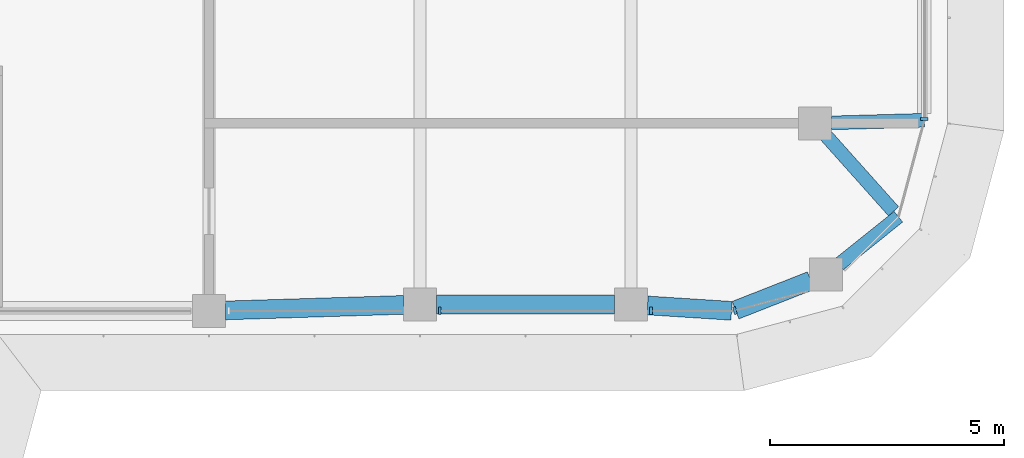
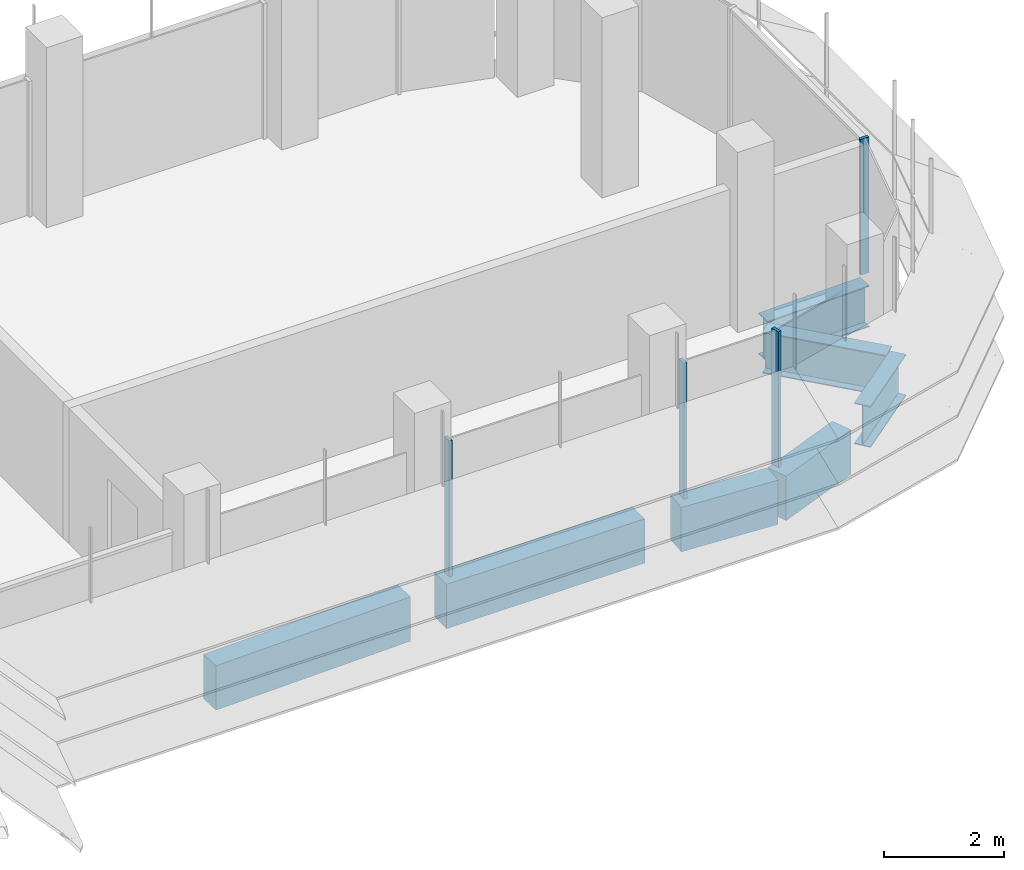
# One storey, part 5 of 19: 7 beams, 4 members, 3 elements without a shape of their own.
"""IFC4 building model written with IfcOpenShell, lengths in metres."""

import ifcopenshell
import ifcopenshell.guid

model = None  # the IFC model being written
_history = None  # IfcOwnerHistory: only IFC2X3 demands one
_inside = {}  # id of a spatial element -> (the spatial element, [elements in it])
_under = {}  # id of a project, library or spatial element -> (it, [spatial elements below it])
_declared = {}  # id of a project -> (the project, [libraries it declares])
_typed = {}  # id of a type object -> (the type object, [elements of that type])
_made_of = {}  # id of a material, layer set ... -> (it, [elements and type objects made of it])


def new_model(schema):
    """Start an empty IFC model of exactly this schema.

    Asked for "IFC4X3", IfcOpenShell would pick the latest addendum, in which some entities
    have other attributes; the version numbers below select the first issue.
    IFC2X3 requires an IfcOwnerHistory on every rooted entity: one is made here for all.
    """
    global model, _history
    if schema == "IFC4X3":
        model = ifcopenshell.file(schema_version=(4, 3, 0, 0))
    else:
        model = ifcopenshell.file(schema=schema)
    _inside.clear()
    _under.clear()
    _declared.clear()
    _typed.clear()
    _made_of.clear()
    _history = None
    if model.schema == "IFC2X3":
        org = make("IfcOrganization", Name="unknown")
        user = make(
            "IfcPersonAndOrganization",
            ThePerson=make("IfcPerson", FamilyName="unknown"),
            TheOrganization=org,
        )
        app = make(
            "IfcApplication",
            ApplicationDeveloper=org,
            Version="unknown",
            ApplicationFullName="unknown",
            ApplicationIdentifier="unknown",
        )
        _history = make(
            "IfcOwnerHistory",
            OwningUser=user,
            OwningApplication=app,
            ChangeAction="ADDED",
            CreationDate=0,
        )
    return model


def make(cls, **values):
    """One entity of the class cls with the attributes given. An attribute that is None is left unset."""
    return model.create_entity(
        cls, **{name: value for name, value in values.items() if value is not None}
    )


def rooted(cls, **values):
    """An entity with a GlobalId (a new one), such as an element, a storey or a relation."""
    return make(cls, GlobalId=ifcopenshell.guid.new(), OwnerHistory=_history, **values)


def si_unit(unit_type, name, prefix=None):
    """IfcSIUnit, for example si_unit("LENGTHUNIT", "METRE", prefix="MILLI")."""
    return make("IfcSIUnit", UnitType=unit_type, Prefix=prefix, Name=name)


def assignment(units):
    """IfcUnitAssignment: the units of a project."""
    return None if units is None else make("IfcUnitAssignment", Units=units)


def point(xyz):
    """IfcCartesianPoint."""
    return None if xyz is None else make("IfcCartesianPoint", Coordinates=xyz)


def direction(xyz):
    """IfcDirection."""
    return None if xyz is None else make("IfcDirection", DirectionRatios=xyz)


def frame(location, z_axis=None, x_axis=None):
    """IfcAxis2Placement3D, a coordinate frame: its origin and axes. An axis left out is left unset."""
    return make(
        "IfcAxis2Placement3D",
        Location=point(location),
        Axis=direction(z_axis),
        RefDirection=direction(x_axis),
    )


def frame_2d(location, x_axis=None):
    """IfcAxis2Placement2D, a coordinate frame in the plane: its origin and x axis."""
    return make(
        "IfcAxis2Placement2D", Location=point(location), RefDirection=direction(x_axis)
    )


def origin():
    """The frame at (0, 0, 0) with its axes left unset."""
    return frame((0.0, 0.0, 0.0))


def origin_2d():
    """The frame at (0, 0) in the plane with its x axis left unset."""
    return frame_2d((0.0, 0.0))


def place(relative_to, where):
    """IfcLocalPlacement: puts the frame where relative to a parent placement (None: the world)."""
    return make(
        "IfcLocalPlacement", PlacementRelTo=relative_to, RelativePlacement=where
    )


def context(
    kind, dimensions, precision=None, world=None, true_north=None, identifier=None
):
    """IfcGeometricRepresentationContext, for example the 3D "Model" context."""
    return make(
        "IfcGeometricRepresentationContext",
        ContextIdentifier=identifier,
        ContextType=kind,
        CoordinateSpaceDimension=dimensions,
        Precision=precision,
        WorldCoordinateSystem=world,
        TrueNorth=true_north,
    )


def subcontext(parent, identifier, kind, view, scale=None):
    """IfcGeometricRepresentationSubContext, for example "Body" below "Model"."""
    return make(
        "IfcGeometricRepresentationSubContext",
        ContextIdentifier=identifier,
        ContextType=kind,
        ParentContext=parent,
        TargetScale=scale,
        TargetView=view,
    )


def project(units=None, contexts=None):
    """IfcProject with its units and contexts."""
    return rooted(
        "IfcProject",
        Name="project",
        RepresentationContexts=contexts,
        UnitsInContext=assignment(units),
    )


def spatial(cls, under=None, at=None, **own):
    """A site, building, storey or space (cls), placed at a placement, below another one or the project."""
    s = rooted(cls, ObjectPlacement=at, **own)
    if under is not None:
        _under.setdefault(under.id(), (under, []))[1].append(s)
    return s


def polyline(points):
    """IfcPolyline through the points."""
    return make("IfcPolyline", Points=[point(p) for p in points])


def profile(cls, at=None, kind="AREA", **sizes):
    """A parametric profile (cls). Its sizes go by their IFC names, for example OverallWidth=200.0."""
    return make(cls, ProfileType=kind, Position=at, **sizes)


def rectangle(**sizes):
    """IfcRectangleProfileDef."""
    return profile("IfcRectangleProfileDef", **sizes)


def i_section(**sizes):
    """IfcIShapeProfileDef."""
    return profile("IfcIShapeProfileDef", **sizes)


def outline(outer, holes=None, kind="AREA"):
    """IfcArbitraryClosedProfileDef: a profile drawn as a closed curve; with holes, ...WithVoids."""
    if holes is None:
        return make("IfcArbitraryClosedProfileDef", ProfileType=kind, OuterCurve=outer)
    return make(
        "IfcArbitraryProfileDefWithVoids",
        ProfileType=kind,
        OuterCurve=outer,
        InnerCurves=holes,
    )


def extrude(swept, where, along, depth):
    """IfcExtrudedAreaSolid: the profile swept, set in the frame where, extruded along a direction by depth."""
    return make(
        "IfcExtrudedAreaSolid",
        SweptArea=swept,
        Position=where,
        ExtrudedDirection=direction(along),
        Depth=depth,
    )


def shape(context_of_items, identifier, shape_type, items):
    """IfcShapeRepresentation: the items that make up one representation, for example the "Body"."""
    return make(
        "IfcShapeRepresentation",
        ContextOfItems=context_of_items,
        RepresentationIdentifier=identifier,
        RepresentationType=shape_type,
        Items=items,
    )


def source(mapping_origin, context_of_items, identifier, shape_type, items):
    """IfcRepresentationMap: a shape defined once, which mapped items show again and again."""
    return make(
        "IfcRepresentationMap",
        MappingOrigin=mapping_origin,
        MappedRepresentation=shape(context_of_items, identifier, shape_type, items),
    )


def transform(
    local_origin,
    x_axis=None,
    y_axis=None,
    z_axis=None,
    scale=None,
    scale2=None,
    scale3=None,
    uniform=True,
):
    """IfcCartesianTransformationOperator3D, or its non-uniform kind. x_axis, y_axis, z_axis: its Axis1, 2, 3."""
    if uniform:
        return make(
            "IfcCartesianTransformationOperator3D",
            Axis1=direction(x_axis),
            Axis2=direction(y_axis),
            LocalOrigin=point(local_origin),
            Scale=scale,
            Axis3=direction(z_axis),
        )
    return make(
        "IfcCartesianTransformationOperator3DnonUniform",
        Axis1=direction(x_axis),
        Axis2=direction(y_axis),
        LocalOrigin=point(local_origin),
        Scale=scale,
        Axis3=direction(z_axis),
        Scale2=scale2,
        Scale3=scale3,
    )


def mapped(mapping_source, mapping_target):
    """IfcMappedItem: shows the shape of a source again, moved by a transform."""
    return make(
        "IfcMappedItem", MappingSource=mapping_source, MappingTarget=mapping_target
    )


def material(Name=None, Category=None):
    """IfcMaterial."""
    return make("IfcMaterial", Name=Name, Category=Category)


def material_profile(
    of_material, cross_section, Name=None, Category=None, Priority=None
):
    """IfcMaterialProfile: a cross section and its material."""
    return make(
        "IfcMaterialProfile",
        Name=Name,
        Material=of_material,
        Profile=cross_section,
        Priority=Priority,
        Category=Category,
    )


def profile_set(profiles, Name=None, composite=None):
    """IfcMaterialProfileSet."""
    return make(
        "IfcMaterialProfileSet",
        Name=Name,
        MaterialProfiles=profiles,
        CompositeProfile=composite,
    )


def made_of(thing, what):
    """Note that an element or type object is made of a material, layer set ...; save() writes the relation."""
    if what is not None:
        _made_of.setdefault(what.id(), (what, []))[1].append(thing)
    return thing


def type_object(cls, material=None, **own):
    """A type object (cls), such as IfcWallType, which elements share."""
    return made_of(rooted(cls, **own), material)


def element(
    cls,
    number,
    at=None,
    inside=None,
    cuts=None,
    type_object=None,
    material=None,
    context=None,
    identifier="Body",
    shape_type=None,
    held_by="IfcProductDefinitionShape",
    body=None,
    shapes=None,
    **own,
):
    """One element of the class cls, such as IfcWall. Its Tag is "e" and its number.

    at: its placement. inside: the storey or other place that contains it. cuts: it is an
    opening in that element (IfcRelVoidsElement). A single representation is given by context,
    identifier, shape_type and body (its items); several are given by shapes. held_by: the class
    of the entity that holds the representations. save() writes the other relations.
    """
    e = rooted(cls, Tag="e%d" % number, ObjectPlacement=at, **own)
    if body is not None:
        shapes = [shape(context, identifier, shape_type, body)]
    if shapes is not None:
        e.Representation = make(held_by, Representations=shapes)
    if inside is not None:
        _inside.setdefault(inside.id(), (inside, []))[1].append(e)
    if cuts is not None:
        rooted(
            "IfcRelVoidsElement", RelatingBuildingElement=cuts, RelatedOpeningElement=e
        )
    if type_object is not None:
        _typed.setdefault(type_object.id(), (type_object, []))[1].append(e)
    return made_of(e, material)


def aggregate(whole, parts):
    """IfcRelAggregates: a whole, such as a stair, and the parts it consists of."""
    return rooted("IfcRelAggregates", RelatingObject=whole, RelatedObjects=parts)


def save(model, path):
    """Write the relations noted so far, then the file.

    IfcRelAggregates (storeys below a building ...), IfcRelContainedInSpatialStructure (elements
    in a storey), IfcRelDefinesByType, IfcRelAssociatesMaterial and IfcRelDeclares: one each for
    every whole, place, type object, material and project.
    """
    for whole, parts in _under.values():
        aggregate(whole, parts)
    for where, things in _inside.values():
        rooted(
            "IfcRelContainedInSpatialStructure",
            RelatedElements=things,
            RelatingStructure=where,
        )
    for kind, things in _typed.values():
        rooted("IfcRelDefinesByType", RelatedObjects=things, RelatingType=kind)
    for what, things in _made_of.values():
        rooted("IfcRelAssociatesMaterial", RelatedObjects=things, RelatingMaterial=what)
    for by, libraries in _declared.values():
        rooted("IfcRelDeclares", RelatingContext=by, RelatedDefinitions=libraries)
    model.write(path)


model = new_model("IFC4")

# Units and contexts
model_context = context("Model", 3, precision=1e-05, world=origin(), true_north=direction((0.0, 1.0)))
body_context = subcontext(model_context, "Body", "Model", "MODEL_VIEW")
ifc_project = project(units=[si_unit("LENGTHUNIT", "METRE"), si_unit("AREAUNIT", "SQUARE_METRE"), si_unit("VOLUMEUNIT", "CUBIC_METRE"), si_unit("PLANEANGLEUNIT", "RADIAN"), si_unit("MASSUNIT", "GRAM", prefix="KILO")], contexts=[model_context])

# Site, building, storey
site_placement = place(None, origin())
site = spatial("IfcSite", under=ifc_project, at=site_placement, CompositionType="ELEMENT")
building_placement = place(site_placement, origin())
building = spatial("IfcBuilding", under=site, at=building_placement, Name="Zarbagh Exchange Tower", CompositionType="ELEMENT")
storey_placement = place(building_placement, frame((0.0, 0.0, 225.800048828125)))
storey = spatial("IfcBuildingStorey", under=building, at=storey_placement, Name="L55", CompositionType="ELEMENT", Elevation=225.800048828125)

# Beams
ifc_material_1 = material(Name="Steel ASTM A992 Gr 50", Category="steel")
ifc_material_profile_1 = material_profile(ifc_material_1, i_section(OverallWidth=0.2919921875, OverallDepth=0.835693359375, WebThickness=0.013916015625, FlangeThickness=0.018798828125, at=origin_2d()), Name="W33X118")
ifc_profile_set_1 = profile_set([ifc_material_profile_1], Name="Steel ASTM A992 Gr 50")
beam_type_1 = type_object("IfcBeamType", Name="Floor girder W33X118", PredefinedType="BEAM", material=ifc_profile_set_1)
beam_1_placement = place(storey_placement, frame((31.0, -2.18408203125, -0.56787109375), z_axis=(-0.999601581355, -0.028225494714, 0.0), x_axis=(0.028225494714, -0.999601581355, 0.0)))
element("IfcBeam", 1, at=beam_1_placement, inside=storey, type_object=beam_type_1, Name="Steel girder", PredefinedType="BEAM", context=body_context, shape_type="SweptSolid", body=[
    extrude(i_section(OverallWidth=0.2919921875, OverallDepth=0.835693359375, WebThickness=0.013916015625, FlangeThickness=0.018798828125, at=origin_2d()), origin(), (0.0, 0.0, 1.0), 1.980712890625),
])
beam_2_placement = place(storey_placement, frame((28.9033203125, -2.510986328125, -0.56787109375), z_axis=(0.666194955403, -0.745777635355, 0.0), x_axis=(0.745777635355, 0.666194955403, 0.0)))
element("IfcBeam", 2, at=beam_2_placement, inside=storey, type_object=beam_type_1, Name="Steel girder", PredefinedType="BEAM", context=body_context, shape_type="SweptSolid", body=[
    extrude(i_section(OverallWidth=0.2919921875, OverallDepth=0.835693359375, WebThickness=0.013916015625, FlangeThickness=0.018798828125, at=origin_2d()), origin(), (0.0, 0.0, 1.0), 2.165771484375),
])
beam_3_placement = place(storey_placement, frame((30.44873046875, -4.2412109375, -0.56787109375), z_axis=(-0.780619385558, -0.625006699877, 0.0), x_axis=(0.625006699877, -0.780619385558, 0.0)))
element("IfcBeam", 3, at=beam_3_placement, inside=storey, type_object=beam_type_1, Name="Steel girder", PredefinedType="BEAM", context=body_context, shape_type="SweptSolid", body=[
    extrude(i_section(OverallWidth=0.2919921875, OverallDepth=0.835693359375, WebThickness=0.013916015625, FlangeThickness=0.018798828125, at=origin_2d()), origin(), (0.0, 0.0, 1.0), 1.623779296875),
])
ifc_material_2 = material(Name="Concrete C50/60", Category="concrete")
ifc_material_profile_2 = material_profile(ifc_material_2, rectangle(XDim=0.39990234375, YDim=0.89990234375, at=origin_2d()), Name="RC spandrel beam 400 x 900 C50/60")
ifc_profile_set_2 = profile_set([ifc_material_profile_2], Name="Concrete C50/60")
beam_type_2 = type_object("IfcBeamType", Name="RC spandrel beam 400 x 900 C50/60", PredefinedType="SPANDREL", material=ifc_profile_set_2)
beam_4_placement = place(storey_placement, frame((28.582275390625, -5.602783203125, -0.60009765625), z_axis=(-0.930818525178, -0.365481700207, 0.0), x_axis=(0.365481700207, -0.930818525178, 0.0)))
element("IfcBeam", 4, at=beam_4_placement, inside=storey, type_object=beam_type_2, Name="RC spandrel beam", PredefinedType="SPANDREL", context=body_context, shape_type="SweptSolid", body=[
    extrude(rectangle(XDim=0.39990234375, YDim=0.89990234375, at=origin_2d()), origin(), (0.0, 0.0, 1.0), 1.72607421875),
])
beam_5_placement = place(storey_placement, frame((26.8896484375, -6.247314453125, -0.60009765625), z_axis=(-0.997943601797, 0.064098109429, 0.0), x_axis=(-0.064098109429, -0.997943601797, 0.0)))
element("IfcBeam", 5, at=beam_5_placement, inside=storey, type_object=beam_type_2, Name="RC spandrel beam", PredefinedType="SPANDREL", context=body_context, shape_type="SweptSolid", body=[
    extrude(rectangle(XDim=0.39990234375, YDim=0.89990234375, at=origin_2d()), origin(), (0.0, 0.0, 1.0), 1.7939453125),
])
beam_6_placement = place(storey_placement, frame((24.39990234375, -6.110107421875, -0.60009765625), z_axis=(-1.0, 0.0, 0.0), x_axis=(0.0, -1.0, 0.0)))
element("IfcBeam", 6, at=beam_6_placement, inside=storey, type_object=beam_type_2, Name="RC spandrel beam", PredefinedType="SPANDREL", context=body_context, shape_type="SweptSolid", body=[
    extrude(rectangle(XDim=0.39990234375, YDim=0.89990234375, at=origin_2d()), origin(), (0.0, 0.0, 1.0), 3.7998046875),
])
beam_7_placement = place(storey_placement, frame((19.900146484375, -6.120849609375, -0.60009765625), z_axis=(-0.999516950199, -0.031078389046, 0.0), x_axis=(0.031078389046, -0.999516950199, 0.0)))
element("IfcBeam", 7, at=beam_7_placement, inside=storey, type_object=beam_type_2, Name="RC spandrel beam", PredefinedType="SPANDREL", context=body_context, shape_type="SweptSolid", body=[
    extrude(rectangle(XDim=0.39990234375, YDim=0.89990234375, at=origin_2d()), origin(), (0.0, 0.0, 1.0), 3.80224609375),
])

# Curtain wall, members
ifc_material_3 = material(Name="Anodised aluminium frame and glazing", Category="aluminium")
curtain_wall_type = type_object("IfcCurtainWallType", Name="CWB Ribbon glazing, upper zones", PredefinedType="NOTDEFINED", material=ifc_material_3)
curtain_wall_1_placement = place(storey_placement, origin())
curtain_wall_1 = element("IfcCurtainWall", 8, at=curtain_wall_1_placement, inside=storey, type_object=curtain_wall_type, Name="CWB08 curtain wall", PredefinedType="NOTDEFINED")
ifc_material_4 = material(Name="Anodised aluminium frame", Category="aluminium")
member_type = type_object("IfcMemberType", Name="MUB Mullion, anodised aluminium frame", PredefinedType="MULLION", material=ifc_material_4)
shared_shape = source(origin(), body_context, "Body", "SweptSolid", [
    extrude(outline(polyline([(0.0, -0.080078125), (0.06005859375, -0.080078125), (0.06005859375, 0.080078125), (0.0, 0.080078125), (0.0, -0.080078125)])), origin(), (0.0, 0.0, 1.0), 2.75),
])
placement = place(storey_placement, origin())
member_1 = element("IfcMember", 9, at=placement, type_object=member_type, Name="CWB08 mullion 3.1", PredefinedType="MULLION", context=body_context, shape_type="MappedRepresentation", body=[
    mapped(shared_shape, transform((20.64013671875, -6.25, 0.0), x_axis=(1.0, 0.0, 0.0), y_axis=(0.0, 1.0, 0.0), z_axis=(0.0, 0.0, 1.0))),
])
member_2 = element("IfcMember", 10, at=placement, type_object=member_type, Name="CWB08 mullion 4.1", PredefinedType="MULLION", context=body_context, shape_type="MappedRepresentation", body=[
    mapped(shared_shape, transform((25.14013671875, -6.25, 0.0), x_axis=(1.0, 0.0, 0.0), y_axis=(0.0, 1.0, 0.0), z_axis=(0.0, 0.0, 1.0))),
])
aggregate(curtain_wall_1, [member_1, member_2])

# Curtain wall, member
curtain_wall_2_placement = place(storey_placement, origin())
curtain_wall_2 = element("IfcCurtainWall", 11, at=curtain_wall_2_placement, inside=storey, type_object=curtain_wall_type, Name="CWB09 curtain wall", PredefinedType="NOTDEFINED")
member_3 = element("IfcMember", 12, at=placement, type_object=member_type, Name="CWB09 mullion 1.1", PredefinedType="MULLION", context=body_context, shape_type="MappedRepresentation", body=[
    mapped(shared_shape, transform((26.93408203125, -6.25, 0.0), x_axis=(0.965924289636, 0.258824779902, 0.0), y_axis=(-0.258824779902, 0.965924289636, 0.0), z_axis=(0.0, 0.0, 1.0))),
])
aggregate(curtain_wall_2, [member_3])

curtain_wall_3_placement = place(storey_placement, origin())
curtain_wall_3 = element("IfcCurtainWall", 13, at=curtain_wall_3_placement, inside=storey, type_object=curtain_wall_type, Name="CWB12 curtain wall", PredefinedType="NOTDEFINED")
member_4 = element("IfcMember", 14, at=placement, type_object=member_type, Name="CWB12 mullion 1.1", PredefinedType="MULLION", context=body_context, shape_type="MappedRepresentation", body=[
    mapped(shared_shape, transform((31.0, -2.18408203125, 0.0), x_axis=(0.0, 1.0, 0.0), y_axis=(-1.0, 0.0, 0.0), z_axis=(0.0, 0.0, 1.0))),
])
aggregate(curtain_wall_3, [member_4])

save(model, "model.ifc")
